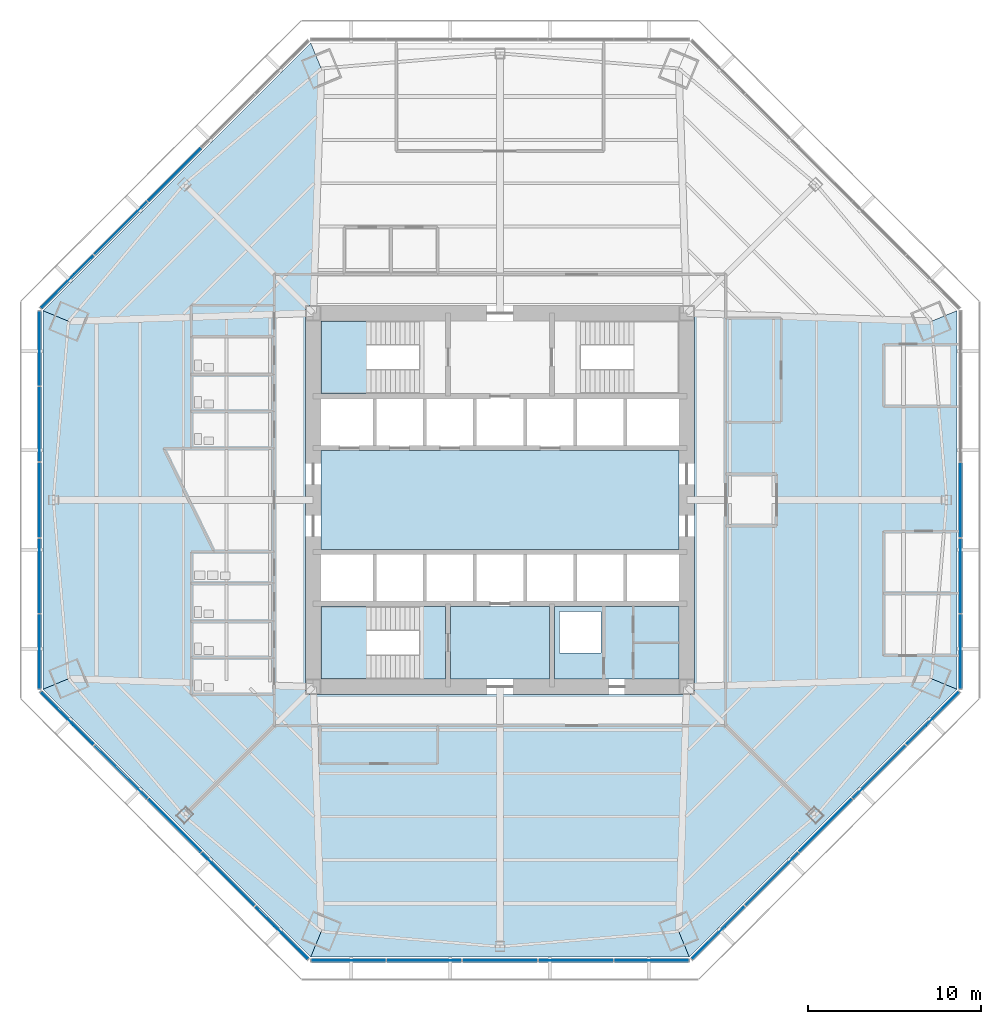
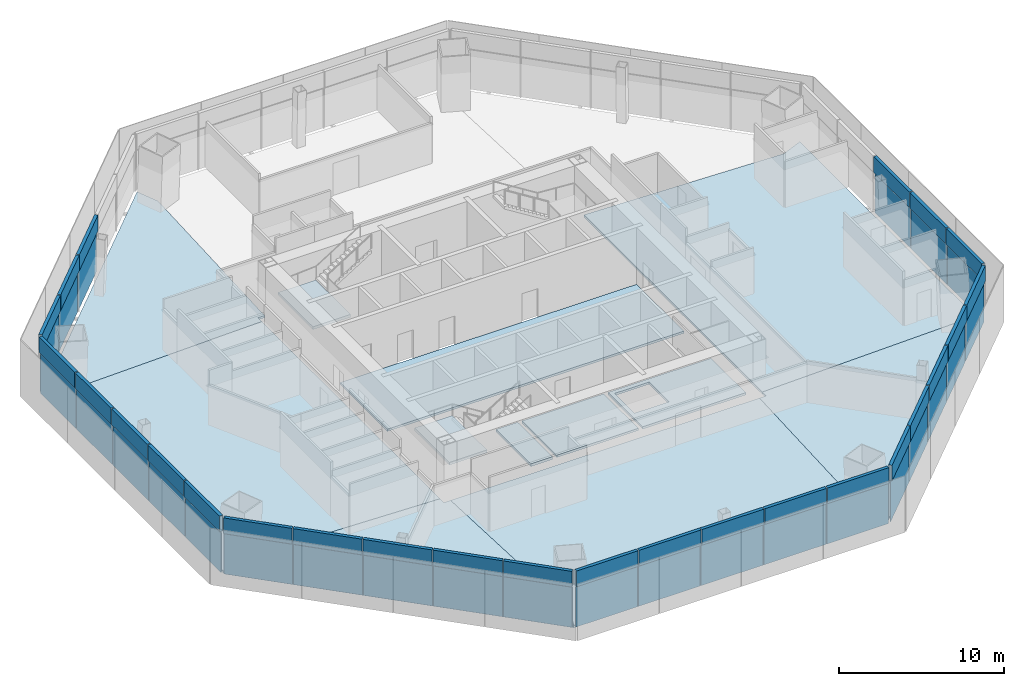
# One storey, part 6 of 13: 52 plates, 12 slabs, 8 elements without a shape of their own.
"""IFC4 building model written with IfcOpenShell, lengths in metres."""

import ifcopenshell
import ifcopenshell.guid

model = None  # the IFC model being written
_history = None  # IfcOwnerHistory: only IFC2X3 demands one
_inside = {}  # id of a spatial element -> (the spatial element, [elements in it])
_under = {}  # id of a project, library or spatial element -> (it, [spatial elements below it])
_declared = {}  # id of a project -> (the project, [libraries it declares])
_typed = {}  # id of a type object -> (the type object, [elements of that type])
_made_of = {}  # id of a material, layer set ... -> (it, [elements and type objects made of it])


def new_model(schema):
    """Start an empty IFC model of exactly this schema.

    Asked for "IFC4X3", IfcOpenShell would pick the latest addendum, in which some entities
    have other attributes; the version numbers below select the first issue.
    IFC2X3 requires an IfcOwnerHistory on every rooted entity: one is made here for all.
    """
    global model, _history
    if schema == "IFC4X3":
        model = ifcopenshell.file(schema_version=(4, 3, 0, 0))
    else:
        model = ifcopenshell.file(schema=schema)
    _inside.clear()
    _under.clear()
    _declared.clear()
    _typed.clear()
    _made_of.clear()
    _history = None
    if model.schema == "IFC2X3":
        org = make("IfcOrganization", Name="unknown")
        user = make(
            "IfcPersonAndOrganization",
            ThePerson=make("IfcPerson", FamilyName="unknown"),
            TheOrganization=org,
        )
        app = make(
            "IfcApplication",
            ApplicationDeveloper=org,
            Version="unknown",
            ApplicationFullName="unknown",
            ApplicationIdentifier="unknown",
        )
        _history = make(
            "IfcOwnerHistory",
            OwningUser=user,
            OwningApplication=app,
            ChangeAction="ADDED",
            CreationDate=0,
        )
    return model


def make(cls, **values):
    """One entity of the class cls with the attributes given. An attribute that is None is left unset."""
    return model.create_entity(
        cls, **{name: value for name, value in values.items() if value is not None}
    )


def rooted(cls, **values):
    """An entity with a GlobalId (a new one), such as an element, a storey or a relation."""
    return make(cls, GlobalId=ifcopenshell.guid.new(), OwnerHistory=_history, **values)


def si_unit(unit_type, name, prefix=None):
    """IfcSIUnit, for example si_unit("LENGTHUNIT", "METRE", prefix="MILLI")."""
    return make("IfcSIUnit", UnitType=unit_type, Prefix=prefix, Name=name)


def assignment(units):
    """IfcUnitAssignment: the units of a project."""
    return None if units is None else make("IfcUnitAssignment", Units=units)


def point(xyz):
    """IfcCartesianPoint."""
    return None if xyz is None else make("IfcCartesianPoint", Coordinates=xyz)


def direction(xyz):
    """IfcDirection."""
    return None if xyz is None else make("IfcDirection", DirectionRatios=xyz)


def frame(location, z_axis=None, x_axis=None):
    """IfcAxis2Placement3D, a coordinate frame: its origin and axes. An axis left out is left unset."""
    return make(
        "IfcAxis2Placement3D",
        Location=point(location),
        Axis=direction(z_axis),
        RefDirection=direction(x_axis),
    )


def frame_2d(location, x_axis=None):
    """IfcAxis2Placement2D, a coordinate frame in the plane: its origin and x axis."""
    return make(
        "IfcAxis2Placement2D", Location=point(location), RefDirection=direction(x_axis)
    )


def origin():
    """The frame at (0, 0, 0) with its axes left unset."""
    return frame((0.0, 0.0, 0.0))


def origin_2d():
    """The frame at (0, 0) in the plane with its x axis left unset."""
    return frame_2d((0.0, 0.0))


def place(relative_to, where):
    """IfcLocalPlacement: puts the frame where relative to a parent placement (None: the world)."""
    return make(
        "IfcLocalPlacement", PlacementRelTo=relative_to, RelativePlacement=where
    )


def context(
    kind, dimensions, precision=None, world=None, true_north=None, identifier=None
):
    """IfcGeometricRepresentationContext, for example the 3D "Model" context."""
    return make(
        "IfcGeometricRepresentationContext",
        ContextIdentifier=identifier,
        ContextType=kind,
        CoordinateSpaceDimension=dimensions,
        Precision=precision,
        WorldCoordinateSystem=world,
        TrueNorth=true_north,
    )


def subcontext(parent, identifier, kind, view, scale=None):
    """IfcGeometricRepresentationSubContext, for example "Body" below "Model"."""
    return make(
        "IfcGeometricRepresentationSubContext",
        ContextIdentifier=identifier,
        ContextType=kind,
        ParentContext=parent,
        TargetScale=scale,
        TargetView=view,
    )


def project(units=None, contexts=None):
    """IfcProject with its units and contexts."""
    return rooted(
        "IfcProject",
        Name="project",
        RepresentationContexts=contexts,
        UnitsInContext=assignment(units),
    )


def spatial(cls, under=None, at=None, **own):
    """A site, building, storey or space (cls), placed at a placement, below another one or the project."""
    s = rooted(cls, ObjectPlacement=at, **own)
    if under is not None:
        _under.setdefault(under.id(), (under, []))[1].append(s)
    return s


def polyline(points):
    """IfcPolyline through the points."""
    return make("IfcPolyline", Points=[point(p) for p in points])


def profile(cls, at=None, kind="AREA", **sizes):
    """A parametric profile (cls). Its sizes go by their IFC names, for example OverallWidth=200.0."""
    return make(cls, ProfileType=kind, Position=at, **sizes)


def rectangle(**sizes):
    """IfcRectangleProfileDef."""
    return profile("IfcRectangleProfileDef", **sizes)


def outline(outer, holes=None, kind="AREA"):
    """IfcArbitraryClosedProfileDef: a profile drawn as a closed curve; with holes, ...WithVoids."""
    if holes is None:
        return make("IfcArbitraryClosedProfileDef", ProfileType=kind, OuterCurve=outer)
    return make(
        "IfcArbitraryProfileDefWithVoids",
        ProfileType=kind,
        OuterCurve=outer,
        InnerCurves=holes,
    )


def extrude(swept, where, along, depth):
    """IfcExtrudedAreaSolid: the profile swept, set in the frame where, extruded along a direction by depth."""
    return make(
        "IfcExtrudedAreaSolid",
        SweptArea=swept,
        Position=where,
        ExtrudedDirection=direction(along),
        Depth=depth,
    )


def shape(context_of_items, identifier, shape_type, items):
    """IfcShapeRepresentation: the items that make up one representation, for example the "Body"."""
    return make(
        "IfcShapeRepresentation",
        ContextOfItems=context_of_items,
        RepresentationIdentifier=identifier,
        RepresentationType=shape_type,
        Items=items,
    )


def source(mapping_origin, context_of_items, identifier, shape_type, items):
    """IfcRepresentationMap: a shape defined once, which mapped items show again and again."""
    return make(
        "IfcRepresentationMap",
        MappingOrigin=mapping_origin,
        MappedRepresentation=shape(context_of_items, identifier, shape_type, items),
    )


def transform(
    local_origin,
    x_axis=None,
    y_axis=None,
    z_axis=None,
    scale=None,
    scale2=None,
    scale3=None,
    uniform=True,
):
    """IfcCartesianTransformationOperator3D, or its non-uniform kind. x_axis, y_axis, z_axis: its Axis1, 2, 3."""
    if uniform:
        return make(
            "IfcCartesianTransformationOperator3D",
            Axis1=direction(x_axis),
            Axis2=direction(y_axis),
            LocalOrigin=point(local_origin),
            Scale=scale,
            Axis3=direction(z_axis),
        )
    return make(
        "IfcCartesianTransformationOperator3DnonUniform",
        Axis1=direction(x_axis),
        Axis2=direction(y_axis),
        LocalOrigin=point(local_origin),
        Scale=scale,
        Axis3=direction(z_axis),
        Scale2=scale2,
        Scale3=scale3,
    )


def mapped(mapping_source, mapping_target):
    """IfcMappedItem: shows the shape of a source again, moved by a transform."""
    return make(
        "IfcMappedItem", MappingSource=mapping_source, MappingTarget=mapping_target
    )


def material(Name=None, Category=None):
    """IfcMaterial."""
    return make("IfcMaterial", Name=Name, Category=Category)


def layer(
    of_material, thickness, ventilated=None, Name=None, Category=None, Priority=None
):
    """IfcMaterialLayer: one layer of a wall or slab, of a material (None: an air gap)."""
    return make(
        "IfcMaterialLayer",
        Material=of_material,
        LayerThickness=thickness,
        IsVentilated=ventilated,
        Name=Name,
        Category=Category,
        Priority=Priority,
    )


def layer_set(layers, Name=None):
    """IfcMaterialLayerSet."""
    return make("IfcMaterialLayerSet", MaterialLayers=layers, LayerSetName=Name)


def made_of(thing, what):
    """Note that an element or type object is made of a material, layer set ...; save() writes the relation."""
    if what is not None:
        _made_of.setdefault(what.id(), (what, []))[1].append(thing)
    return thing


def type_object(cls, material=None, **own):
    """A type object (cls), such as IfcWallType, which elements share."""
    return made_of(rooted(cls, **own), material)


def type_shapes(of_type, sources):
    """Give a type object the sources (RepresentationMaps) that its elements show as mapped items."""
    of_type.RepresentationMaps = sources


def element(
    cls,
    number,
    at=None,
    inside=None,
    cuts=None,
    type_object=None,
    material=None,
    context=None,
    identifier="Body",
    shape_type=None,
    held_by="IfcProductDefinitionShape",
    body=None,
    shapes=None,
    **own,
):
    """One element of the class cls, such as IfcWall. Its Tag is "e" and its number.

    at: its placement. inside: the storey or other place that contains it. cuts: it is an
    opening in that element (IfcRelVoidsElement). A single representation is given by context,
    identifier, shape_type and body (its items); several are given by shapes. held_by: the class
    of the entity that holds the representations. save() writes the other relations.
    """
    e = rooted(cls, Tag="e%d" % number, ObjectPlacement=at, **own)
    if body is not None:
        shapes = [shape(context, identifier, shape_type, body)]
    if shapes is not None:
        e.Representation = make(held_by, Representations=shapes)
    if inside is not None:
        _inside.setdefault(inside.id(), (inside, []))[1].append(e)
    if cuts is not None:
        rooted(
            "IfcRelVoidsElement", RelatingBuildingElement=cuts, RelatedOpeningElement=e
        )
    if type_object is not None:
        _typed.setdefault(type_object.id(), (type_object, []))[1].append(e)
    return made_of(e, material)


def aggregate(whole, parts):
    """IfcRelAggregates: a whole, such as a stair, and the parts it consists of."""
    return rooted("IfcRelAggregates", RelatingObject=whole, RelatedObjects=parts)


def save(model, path):
    """Write the relations noted so far, then the file.

    IfcRelAggregates (storeys below a building ...), IfcRelContainedInSpatialStructure (elements
    in a storey), IfcRelDefinesByType, IfcRelAssociatesMaterial and IfcRelDeclares: one each for
    every whole, place, type object, material and project.
    """
    for whole, parts in _under.values():
        aggregate(whole, parts)
    for where, things in _inside.values():
        rooted(
            "IfcRelContainedInSpatialStructure",
            RelatedElements=things,
            RelatingStructure=where,
        )
    for kind, things in _typed.values():
        rooted("IfcRelDefinesByType", RelatedObjects=things, RelatingType=kind)
    for what, things in _made_of.values():
        rooted("IfcRelAssociatesMaterial", RelatedObjects=things, RelatingMaterial=what)
    for by, libraries in _declared.values():
        rooted("IfcRelDeclares", RelatingContext=by, RelatedDefinitions=libraries)
    model.write(path)


model = new_model("IFC4")

# Units and contexts
model_context = context("Model", 3, precision=1e-05, world=origin(), true_north=direction((0.0, 1.0)))
body_context = subcontext(model_context, "Body", "Model", "MODEL_VIEW")
ifc_project = project(units=[si_unit("LENGTHUNIT", "METRE"), si_unit("AREAUNIT", "SQUARE_METRE"), si_unit("VOLUMEUNIT", "CUBIC_METRE"), si_unit("PLANEANGLEUNIT", "RADIAN"), si_unit("MASSUNIT", "GRAM", prefix="KILO")], contexts=[model_context])

# Site, building, storey
site_placement = place(None, origin())
site = spatial("IfcSite", under=ifc_project, at=site_placement, CompositionType="ELEMENT")
building_placement = place(site_placement, origin())
building = spatial("IfcBuilding", under=site, at=building_placement, Name="Mashrafa Tower", CompositionType="ELEMENT")
storey_placement = place(building_placement, frame((0.0, 0.0, 49.800048828125)))
storey = spatial("IfcBuildingStorey", under=building, at=storey_placement, Name="L10", CompositionType="ELEMENT", Elevation=49.800048828125)

# Slabs
ifc_material_1 = material(Name="Concrete C35/45", Category="concrete")
ifc_layer_1 = layer(ifc_material_1, 0.1650390625)
ifc_layer_set_1 = layer_set([ifc_layer_1], Name="Floor slab 165")
slab_type_1 = type_object("IfcSlabType", Name="Floor slab 165", PredefinedType="FLOOR", material=ifc_layer_set_1)
slab_1_placement = place(storey_placement, frame((0.0, 0.0, -0.1650390625)))
element("IfcSlab", 1, at=slab_1_placement, inside=storey, type_object=slab_type_1, Name="Floor slab L10 east bay", PredefinedType="FLOOR", context=body_context, shape_type="SweptSolid", body=[
    extrude(outline(polyline([(26.406005859375, -10.937744140625), (24.932373046875, -10.327392578125), (11.25, -10.784912109375), (11.25, 10.784912109375), (24.932373046875, 10.327392578125), (26.406005859375, 10.937744140625), (26.406005859375, -10.937744140625)])), origin(), (0.0, 0.0, 1.0), 0.1650390625),
])
slab_2_placement = place(storey_placement, frame((0.0, 0.0, -0.1650390625)))
element("IfcSlab", 2, at=slab_2_placement, inside=storey, type_object=slab_type_1, Name="Floor slab L10 north-west bay", PredefinedType="FLOOR", context=body_context, shape_type="SweptSolid", body=[
    extrude(outline(polyline([(-26.406005859375, 10.937744140625), (-10.937744140625, 26.406005859375), (-10.937744140625, 26.406005859375), (-10.327392578125, 24.932373046875), (-10.784912109375, 11.25), (-11.25, 11.25), (-11.25, 10.784912109375), (-24.932373046875, 10.327392578125), (-26.406005859375, 10.937744140625), (-26.406005859375, 10.937744140625)])), origin(), (0.0, 0.0, 1.0), 0.1650390625),
])
slab_3_placement = place(storey_placement, frame((0.0, 0.0, -0.1650390625)))
element("IfcSlab", 3, at=slab_3_placement, inside=storey, type_object=slab_type_1, Name="Floor slab L10 west bay", PredefinedType="FLOOR", context=body_context, shape_type="SweptSolid", body=[
    extrude(outline(polyline([(-26.406005859375, 10.937744140625), (-24.932373046875, 10.327392578125), (-11.25, 10.784912109375), (-11.25, -10.784912109375), (-24.932373046875, -10.327392578125), (-26.406005859375, -10.937744140625), (-26.406005859375, 10.937744140625)])), origin(), (0.0, 0.0, 1.0), 0.1650390625),
])
slab_4_placement = place(storey_placement, frame((0.0, 0.0, -0.1650390625)))
element("IfcSlab", 4, at=slab_4_placement, inside=storey, type_object=slab_type_1, Name="Floor slab L10 south-west bay", PredefinedType="FLOOR", context=body_context, shape_type="SweptSolid", body=[
    extrude(outline(polyline([(-10.937744140625, -26.406005859375), (-26.406005859375, -10.937744140625), (-26.406005859375, -10.937744140625), (-24.932373046875, -10.327392578125), (-11.25, -10.784912109375), (-11.25, -11.25), (-10.784912109375, -11.25), (-10.327392578125, -24.932373046875), (-10.937744140625, -26.406005859375), (-10.937744140625, -26.406005859375)])), origin(), (0.0, 0.0, 1.0), 0.1650390625),
])
slab_5_placement = place(storey_placement, frame((0.0, 0.0, -0.1650390625)))
element("IfcSlab", 5, at=slab_5_placement, inside=storey, type_object=slab_type_1, Name="Floor slab L10 south bay", PredefinedType="FLOOR", context=body_context, shape_type="SweptSolid", body=[
    extrude(outline(polyline([(-10.937744140625, -26.406005859375), (-10.327392578125, -24.932373046875), (-10.784912109375, -11.25), (10.784912109375, -11.25), (10.327392578125, -24.932373046875), (10.937744140625, -26.406005859375), (-10.937744140625, -26.406005859375)])), origin(), (0.0, 0.0, 1.0), 0.1650390625),
])
slab_6_placement = place(storey_placement, frame((0.0, 0.0, -0.1650390625)))
element("IfcSlab", 6, at=slab_6_placement, inside=storey, type_object=slab_type_1, Name="Floor slab L10 south-east bay", PredefinedType="FLOOR", context=body_context, shape_type="SweptSolid", body=[
    extrude(outline(polyline([(10.937744140625, -26.406005859375), (10.327392578125, -24.932373046875), (10.784912109375, -11.25), (11.25, -11.25), (11.25, -10.784912109375), (24.932373046875, -10.327392578125), (26.406005859375, -10.937744140625), (26.406005859375, -10.937744140625), (10.937744140625, -26.406005859375), (10.937744140625, -26.406005859375)])), origin(), (0.0, 0.0, 1.0), 0.1650390625),
])
slab_7_placement = place(storey_placement, frame((0.0, 0.0, -0.1650390625)))
element("IfcSlab", 7, at=slab_7_placement, inside=storey, type_object=slab_type_1, Name="Core floor lift hall L10", PredefinedType="FLOOR", context=body_context, shape_type="SweptSolid", body=[
    extrude(outline(polyline([(-10.35009765625, 2.85009765625), (10.35009765625, 2.85009765625), (10.35009765625, -2.85009765625), (-10.35009765625, -2.85009765625), (-10.35009765625, 2.85009765625)])), origin(), (0.0, 0.0, 1.0), 0.1650390625),
])
slab_8_placement = place(storey_placement, frame((0.0, 0.0, -0.1650390625)))
element("IfcSlab", 8, at=slab_8_placement, inside=storey, type_object=slab_type_1, Name="Core floor riser and electrical band L10", PredefinedType="FLOOR", context=body_context, shape_type="SweptSolid", body=[
    extrude(outline(polyline([(10.35009765625, -6.14990234375), (10.35009765625, -10.35009765625), (3.14990234375, -10.35009765625), (3.14990234375, -6.14990234375), (10.35009765625, -6.14990234375)]), holes=[polyline([(3.449951171875, -8.85009765625), (5.85009765625, -8.85009765625), (5.85009765625, -6.449951171875), (3.449951171875, -6.449951171875), (3.449951171875, -8.85009765625)])]), origin(), (0.0, 0.0, 1.0), 0.1650390625),
])
slab_9_placement = place(storey_placement, frame((0.0, 0.0, -0.1650390625)))
element("IfcSlab", 9, at=slab_9_placement, inside=storey, type_object=slab_type_1, Name="Core floor fire-fighting lobby south L10", PredefinedType="FLOOR", context=body_context, shape_type="SweptSolid", body=[
    extrude(outline(polyline([(2.85009765625, -6.14990234375), (2.85009765625, -10.35009765625), (-2.85009765625, -10.35009765625), (-2.85009765625, -6.14990234375), (2.85009765625, -6.14990234375)])), origin(), (0.0, 0.0, 1.0), 0.1650390625),
])

# Stair, slab
ifc_material_2 = material(Name="Exit stair 1400")
stair_type = type_object("IfcStairType", Name="Exit stair 1400", PredefinedType="HALF_TURN_STAIR", material=ifc_material_2)
stair_1_placement = place(storey_placement, origin())
stair_1 = element("IfcStair", 10, at=stair_1_placement, inside=storey, type_object=stair_type, Name="Stair S1 L10", PredefinedType="HALF_TURN_STAIR")
ifc_material_3 = material(Name="Concrete C32/40", Category="concrete")
ifc_layer_2 = layer(ifc_material_3, 0.199951171875)
ifc_layer_set_2 = layer_set([ifc_layer_2], Name="Stair landing 200")
slab_type_2 = type_object("IfcSlabType", Name="Stair landing 200", PredefinedType="LANDING", material=ifc_layer_set_2)
slab_10_placement = place(storey_placement, frame((0.0, 0.0, 1.89990234375)))
slab_10 = element("IfcSlab", 11, at=slab_10_placement, type_object=slab_type_2, Name="S1 landing 2", PredefinedType="LANDING", context=body_context, shape_type="SweptSolid", body=[
    extrude(outline(polyline([(-10.35009765625, 6.14990234375), (-7.719970703125, 6.14990234375), (-7.719970703125, 10.35009765625), (-10.35009765625, 10.35009765625), (-10.35009765625, 6.14990234375)])), origin(), (0.0, 0.0, 1.0), 0.199951171875),
])
aggregate(stair_1, [slab_10])

# Stair, slabs
stair_2_placement = place(storey_placement, origin())
stair_2 = element("IfcStair", 12, at=stair_2_placement, inside=storey, type_object=stair_type, Name="Stair S3 L10", PredefinedType="HALF_TURN_STAIR")
slab_11_placement = place(storey_placement, frame((0.0, 0.0, -0.199951171875)))
slab_11 = element("IfcSlab", 13, at=slab_11_placement, type_object=slab_type_2, Name="S3 landing 1", PredefinedType="LANDING", context=body_context, shape_type="SweptSolid", body=[
    extrude(outline(polyline([(-4.659912109375, -10.35009765625), (-3.14990234375, -10.35009765625), (-3.14990234375, -6.14990234375), (-4.659912109375, -6.14990234375), (-4.659912109375, -10.35009765625)])), origin(), (0.0, 0.0, 1.0), 0.199951171875),
])
slab_12_placement = place(storey_placement, frame((0.0, 0.0, 1.89990234375)))
slab_12 = element("IfcSlab", 14, at=slab_12_placement, type_object=slab_type_2, Name="S3 landing 2", PredefinedType="LANDING", context=body_context, shape_type="SweptSolid", body=[
    extrude(outline(polyline([(-10.35009765625, -10.35009765625), (-7.719970703125, -10.35009765625), (-7.719970703125, -6.14990234375), (-10.35009765625, -6.14990234375), (-10.35009765625, -10.35009765625)])), origin(), (0.0, 0.0, 1.0), 0.199951171875),
])
aggregate(stair_2, [slab_11, slab_12])

# Curtain wall, plate
ifc_material_4 = material(Name="Unitised aluminium curtain wall", Category="aluminium")
curtain_wall_type = type_object("IfcCurtainWallType", Name="Office curtain wall, zone 1 CW-A 200 deep", PredefinedType="NOTDEFINED", material=ifc_material_4)
curtain_wall_1_placement = place(storey_placement, origin())
curtain_wall_1 = element("IfcCurtainWall", 15, at=curtain_wall_1_placement, inside=storey, type_object=curtain_wall_type, Name="Office curtain wall, zone 1 L10 east", PredefinedType="NOTDEFINED")
ifc_material_5 = material(Name="Insulated double glazing, low-e, neutral", Category="glass")
ifc_layer_3 = layer(ifc_material_5, 0.028076171875)
ifc_layer_set_3 = layer_set([ifc_layer_3], Name="Vision panel CW-A 28")
plate_type_1 = type_object("IfcPlateType", Name="Vision panel CW-A 28", PredefinedType="CURTAIN_PANEL", material=ifc_layer_set_3)
shared_shape_1 = source(origin(), body_context, "Body", "SweptSolid", [
    extrude(rectangle(XDim=4.2900390625, YDim=0.028076171875, at=origin_2d()), origin(), (0.0, 0.0, 1.0), 2.9599609375),
])
plate_1_placement = place(storey_placement, frame((26.60595703125, -8.759033203125, 0.0), z_axis=(0.0, 0.0, 1.0), x_axis=(0.0, 1.0, 0.0)))
plate_1 = element("IfcPlate", 16, at=plate_1_placement, type_object=plate_type_1, Name="CW-A vision panel 1", PredefinedType="CURTAIN_PANEL", context=body_context, shape_type="MappedRepresentation", body=[
    mapped(shared_shape_1, transform((0.0, 0.0, 0.0))),
])

curtain_wall_2_placement = place(storey_placement, origin())
curtain_wall_2 = element("IfcCurtainWall", 17, at=curtain_wall_2_placement, inside=storey, type_object=curtain_wall_type, Name="Office curtain wall, zone 1 L10 north-west", PredefinedType="NOTDEFINED")
plate_2_placement = place(storey_placement, frame((-25.0068359375, 12.61962890625, 0.0), z_axis=(0.0, 0.0, 1.0), x_axis=(-0.707106781187, -0.707106781187, 0.0)))
plate_2 = element("IfcPlate", 18, at=plate_2_placement, type_object=plate_type_1, Name="CW-A vision panel 5", PredefinedType="CURTAIN_PANEL", context=body_context, shape_type="MappedRepresentation", body=[
    mapped(shared_shape_1, transform((0.0, 0.0, 0.0))),
])

# Curtain wall, plates
curtain_wall_3_placement = place(storey_placement, origin())
curtain_wall_3 = element("IfcCurtainWall", 19, at=curtain_wall_3_placement, inside=storey, type_object=curtain_wall_type, Name="Office curtain wall, zone 1 L10 west", PredefinedType="NOTDEFINED")
plate_3_placement = place(storey_placement, frame((-26.60595703125, 8.759033203125, 0.0), z_axis=(0.0, 0.0, 1.0), x_axis=(0.0, -1.0, 0.0)))
plate_3 = element("IfcPlate", 20, at=plate_3_placement, type_object=plate_type_1, Name="CW-A vision panel 1", PredefinedType="CURTAIN_PANEL", context=body_context, shape_type="MappedRepresentation", body=[
    mapped(shared_shape_1, transform((0.0, 0.0, 0.0))),
])
plate_4_placement = place(storey_placement, frame((-26.60595703125, -8.759033203125, 0.0), z_axis=(0.0, 0.0, 1.0), x_axis=(0.0, -1.0, 0.0)))
plate_4 = element("IfcPlate", 21, at=plate_4_placement, type_object=plate_type_1, Name="CW-A vision panel 5", PredefinedType="CURTAIN_PANEL", context=body_context, shape_type="MappedRepresentation", body=[
    mapped(shared_shape_1, transform((0.0, 0.0, 0.0))),
])

curtain_wall_4_placement = place(storey_placement, origin())
curtain_wall_4 = element("IfcCurtainWall", 22, at=curtain_wall_4_placement, inside=storey, type_object=curtain_wall_type, Name="Office curtain wall, zone 1 L10 south-west", PredefinedType="NOTDEFINED")
plate_5_placement = place(storey_placement, frame((-25.0068359375, -12.61962890625, 0.0), z_axis=(0.0, 0.0, 1.0), x_axis=(0.707106781187, -0.707106781187, 0.0)))
plate_5 = element("IfcPlate", 23, at=plate_5_placement, type_object=plate_type_1, Name="CW-A vision panel 1", PredefinedType="CURTAIN_PANEL", context=body_context, shape_type="MappedRepresentation", body=[
    mapped(shared_shape_1, transform((0.0, 0.0, 0.0))),
])
plate_6_placement = place(storey_placement, frame((-12.61962890625, -25.0068359375, 0.0), z_axis=(0.0, 0.0, 1.0), x_axis=(0.707106781187, -0.707106781187, 0.0)))
plate_6 = element("IfcPlate", 24, at=plate_6_placement, type_object=plate_type_1, Name="CW-A vision panel 5", PredefinedType="CURTAIN_PANEL", context=body_context, shape_type="MappedRepresentation", body=[
    mapped(shared_shape_1, transform((0.0, 0.0, 0.0))),
])

curtain_wall_5_placement = place(storey_placement, origin())
curtain_wall_5 = element("IfcCurtainWall", 25, at=curtain_wall_5_placement, inside=storey, type_object=curtain_wall_type, Name="Office curtain wall, zone 1 L10 south", PredefinedType="NOTDEFINED")
plate_7_placement = place(storey_placement, frame((-8.759033203125, -26.60595703125, 0.0), z_axis=(0.0, 0.0, 1.0), x_axis=(1.0, 0.0, 0.0)))
plate_7 = element("IfcPlate", 26, at=plate_7_placement, type_object=plate_type_1, Name="CW-A vision panel 1", PredefinedType="CURTAIN_PANEL", context=body_context, shape_type="MappedRepresentation", body=[
    mapped(shared_shape_1, transform((0.0, 0.0, 0.0))),
])
plate_8_placement = place(storey_placement, frame((8.759033203125, -26.60595703125, 0.0), z_axis=(0.0, 0.0, 1.0), x_axis=(1.0, 0.0, 0.0)))
plate_8 = element("IfcPlate", 27, at=plate_8_placement, type_object=plate_type_1, Name="CW-A vision panel 5", PredefinedType="CURTAIN_PANEL", context=body_context, shape_type="MappedRepresentation", body=[
    mapped(shared_shape_1, transform((0.0, 0.0, 0.0))),
])

curtain_wall_6_placement = place(storey_placement, origin())
curtain_wall_6 = element("IfcCurtainWall", 28, at=curtain_wall_6_placement, inside=storey, type_object=curtain_wall_type, Name="Office curtain wall, zone 1 L10 south-east", PredefinedType="NOTDEFINED")
plate_9_placement = place(storey_placement, frame((12.61962890625, -25.0068359375, 0.0), z_axis=(0.0, 0.0, 1.0), x_axis=(0.707106781187, 0.707106781187, 0.0)))
plate_9 = element("IfcPlate", 29, at=plate_9_placement, type_object=plate_type_1, Name="CW-A vision panel 1", PredefinedType="CURTAIN_PANEL", context=body_context, shape_type="MappedRepresentation", body=[
    mapped(shared_shape_1, transform((0.0, 0.0, 0.0))),
])
plate_10_placement = place(storey_placement, frame((25.0068359375, -12.61962890625, 0.0), z_axis=(0.0, 0.0, 1.0), x_axis=(0.707106781187, 0.707106781187, 0.0)))
plate_10 = element("IfcPlate", 30, at=plate_10_placement, type_object=plate_type_1, Name="CW-A vision panel 5", PredefinedType="CURTAIN_PANEL", context=body_context, shape_type="MappedRepresentation", body=[
    mapped(shared_shape_1, transform((0.0, 0.0, 0.0))),
])

# Plate
ifc_material_6 = material(Name="Insulated aluminium spandrel panel", Category="aluminium")
ifc_layer_4 = layer(ifc_material_6, 0.219970703125)
ifc_layer_set_4 = layer_set([ifc_layer_4], Name="Spandrel panel CW-A 220")
plate_type_2 = type_object("IfcPlateType", Name="Spandrel panel CW-A 220", PredefinedType="CURTAIN_PANEL", material=ifc_layer_set_4)
shared_shape_2 = source(origin(), body_context, "Body", "SweptSolid", [
    extrude(rectangle(XDim=4.2900390625, YDim=0.219970703125, at=origin_2d()), origin(), (0.0, 0.0, 1.0), 1.159912109375),
])
plate_11_placement = place(storey_placement, frame((26.60595703125, -8.759033203125, 3.0400390625), z_axis=(0.0, 0.0, 1.0), x_axis=(0.0, 1.0, 0.0)))
plate_11 = element("IfcPlate", 31, at=plate_11_placement, type_object=plate_type_2, Name="CW-A spandrel panel 1", PredefinedType="CURTAIN_PANEL", context=body_context, shape_type="MappedRepresentation", body=[
    mapped(shared_shape_2, transform((0.0, 0.0, 0.0))),
])

plate_12_placement = place(storey_placement, frame((-25.0068359375, 12.61962890625, 3.0400390625), z_axis=(0.0, 0.0, 1.0), x_axis=(-0.707106781187, -0.707106781187, 0.0)))
plate_12 = element("IfcPlate", 32, at=plate_12_placement, type_object=plate_type_2, Name="CW-A spandrel panel 5", PredefinedType="CURTAIN_PANEL", context=body_context, shape_type="MappedRepresentation", body=[
    mapped(shared_shape_2, transform((0.0, 0.0, 0.0))),
])

plate_13_placement = place(storey_placement, frame((-26.60595703125, 8.759033203125, 3.0400390625), z_axis=(0.0, 0.0, 1.0), x_axis=(0.0, -1.0, 0.0)))
plate_13 = element("IfcPlate", 33, at=plate_13_placement, type_object=plate_type_2, Name="CW-A spandrel panel 1", PredefinedType="CURTAIN_PANEL", context=body_context, shape_type="MappedRepresentation", body=[
    mapped(shared_shape_2, transform((0.0, 0.0, 0.0))),
])

plate_14_placement = place(storey_placement, frame((-26.60595703125, -8.759033203125, 3.0400390625), z_axis=(0.0, 0.0, 1.0), x_axis=(0.0, -1.0, 0.0)))
plate_14 = element("IfcPlate", 34, at=plate_14_placement, type_object=plate_type_2, Name="CW-A spandrel panel 5", PredefinedType="CURTAIN_PANEL", context=body_context, shape_type="MappedRepresentation", body=[
    mapped(shared_shape_2, transform((0.0, 0.0, 0.0))),
])

plate_15_placement = place(storey_placement, frame((-25.0068359375, -12.61962890625, 3.0400390625), z_axis=(0.0, 0.0, 1.0), x_axis=(0.707106781187, -0.707106781187, 0.0)))
plate_15 = element("IfcPlate", 35, at=plate_15_placement, type_object=plate_type_2, Name="CW-A spandrel panel 1", PredefinedType="CURTAIN_PANEL", context=body_context, shape_type="MappedRepresentation", body=[
    mapped(shared_shape_2, transform((0.0, 0.0, 0.0))),
])

plate_16_placement = place(storey_placement, frame((-12.61962890625, -25.0068359375, 3.0400390625), z_axis=(0.0, 0.0, 1.0), x_axis=(0.707106781187, -0.707106781187, 0.0)))
plate_16 = element("IfcPlate", 36, at=plate_16_placement, type_object=plate_type_2, Name="CW-A spandrel panel 5", PredefinedType="CURTAIN_PANEL", context=body_context, shape_type="MappedRepresentation", body=[
    mapped(shared_shape_2, transform((0.0, 0.0, 0.0))),
])

plate_17_placement = place(storey_placement, frame((-8.759033203125, -26.60595703125, 3.0400390625), z_axis=(0.0, 0.0, 1.0), x_axis=(1.0, 0.0, 0.0)))
plate_17 = element("IfcPlate", 37, at=plate_17_placement, type_object=plate_type_2, Name="CW-A spandrel panel 1", PredefinedType="CURTAIN_PANEL", context=body_context, shape_type="MappedRepresentation", body=[
    mapped(shared_shape_2, transform((0.0, 0.0, 0.0))),
])

plate_18_placement = place(storey_placement, frame((8.759033203125, -26.60595703125, 3.0400390625), z_axis=(0.0, 0.0, 1.0), x_axis=(1.0, 0.0, 0.0)))
plate_18 = element("IfcPlate", 38, at=plate_18_placement, type_object=plate_type_2, Name="CW-A spandrel panel 5", PredefinedType="CURTAIN_PANEL", context=body_context, shape_type="MappedRepresentation", body=[
    mapped(shared_shape_2, transform((0.0, 0.0, 0.0))),
])

plate_19_placement = place(storey_placement, frame((12.61962890625, -25.0068359375, 3.0400390625), z_axis=(0.0, 0.0, 1.0), x_axis=(0.707106781187, 0.707106781187, 0.0)))
plate_19 = element("IfcPlate", 39, at=plate_19_placement, type_object=plate_type_2, Name="CW-A spandrel panel 1", PredefinedType="CURTAIN_PANEL", context=body_context, shape_type="MappedRepresentation", body=[
    mapped(shared_shape_2, transform((0.0, 0.0, 0.0))),
])

plate_20_placement = place(storey_placement, frame((25.0068359375, -12.61962890625, 3.0400390625), z_axis=(0.0, 0.0, 1.0), x_axis=(0.707106781187, 0.707106781187, 0.0)))
plate_20 = element("IfcPlate", 40, at=plate_20_placement, type_object=plate_type_2, Name="CW-A spandrel panel 5", PredefinedType="CURTAIN_PANEL", context=body_context, shape_type="MappedRepresentation", body=[
    mapped(shared_shape_2, transform((0.0, 0.0, 0.0))),
])

shared_shape_3 = source(origin(), body_context, "Body", "SweptSolid", [
    extrude(rectangle(XDim=4.32275390625, YDim=0.028076171875, at=origin_2d()), origin(), (0.0, 0.0, 1.0), 2.9599609375),
])
type_shapes(plate_type_1, [shared_shape_1, shared_shape_3])
plate_21_placement = place(storey_placement, frame((26.60595703125, -4.3876953125, 0.0), z_axis=(0.0, 0.0, 1.0), x_axis=(0.0, 1.0, 0.0)))
plate_21 = element("IfcPlate", 41, at=plate_21_placement, type_object=plate_type_1, Name="CW-A vision panel 2", PredefinedType="CURTAIN_PANEL", context=body_context, shape_type="MappedRepresentation", body=[
    mapped(shared_shape_3, transform((0.0, 0.0, 0.0))),
])

plate_22_placement = place(storey_placement, frame((26.60595703125, 0.0, 0.0), z_axis=(0.0, 0.0, 1.0), x_axis=(0.0, 1.0, 0.0)))
plate_22 = element("IfcPlate", 42, at=plate_22_placement, type_object=plate_type_1, Name="CW-A vision panel 3", PredefinedType="CURTAIN_PANEL", context=body_context, shape_type="MappedRepresentation", body=[
    mapped(shared_shape_3, transform((0.0, 0.0, 0.0))),
])

plate_23_placement = place(storey_placement, frame((-18.813232421875, 18.813232421875, 0.0), z_axis=(0.0, 0.0, 1.0), x_axis=(-0.707106781187, -0.707106781187, 0.0)))
plate_23 = element("IfcPlate", 43, at=plate_23_placement, type_object=plate_type_1, Name="CW-A vision panel 3", PredefinedType="CURTAIN_PANEL", context=body_context, shape_type="MappedRepresentation", body=[
    mapped(shared_shape_3, transform((0.0, 0.0, 0.0))),
])

plate_24_placement = place(storey_placement, frame((-21.915771484375, 15.710693359375, 0.0), z_axis=(0.0, 0.0, 1.0), x_axis=(-0.707106781187, -0.707106781187, 0.0)))
plate_24 = element("IfcPlate", 44, at=plate_24_placement, type_object=plate_type_1, Name="CW-A vision panel 4", PredefinedType="CURTAIN_PANEL", context=body_context, shape_type="MappedRepresentation", body=[
    mapped(shared_shape_3, transform((0.0, 0.0, 0.0))),
])

plate_25_placement = place(storey_placement, frame((-26.60595703125, 4.3876953125, 0.0), z_axis=(0.0, 0.0, 1.0), x_axis=(0.0, -1.0, 0.0)))
plate_25 = element("IfcPlate", 45, at=plate_25_placement, type_object=plate_type_1, Name="CW-A vision panel 2", PredefinedType="CURTAIN_PANEL", context=body_context, shape_type="MappedRepresentation", body=[
    mapped(shared_shape_3, transform((0.0, 0.0, 0.0))),
])

plate_26_placement = place(storey_placement, frame((-26.60595703125, 0.0, 0.0), z_axis=(0.0, 0.0, 1.0), x_axis=(0.0, -1.0, 0.0)))
plate_26 = element("IfcPlate", 46, at=plate_26_placement, type_object=plate_type_1, Name="CW-A vision panel 3", PredefinedType="CURTAIN_PANEL", context=body_context, shape_type="MappedRepresentation", body=[
    mapped(shared_shape_3, transform((0.0, 0.0, 0.0))),
])

plate_27_placement = place(storey_placement, frame((-26.60595703125, -4.3876953125, 0.0), z_axis=(0.0, 0.0, 1.0), x_axis=(0.0, -1.0, 0.0)))
plate_27 = element("IfcPlate", 47, at=plate_27_placement, type_object=plate_type_1, Name="CW-A vision panel 4", PredefinedType="CURTAIN_PANEL", context=body_context, shape_type="MappedRepresentation", body=[
    mapped(shared_shape_3, transform((0.0, 0.0, 0.0))),
])

plate_28_placement = place(storey_placement, frame((-21.915771484375, -15.710693359375, 0.0), z_axis=(0.0, 0.0, 1.0), x_axis=(0.707106781187, -0.707106781187, 0.0)))
plate_28 = element("IfcPlate", 48, at=plate_28_placement, type_object=plate_type_1, Name="CW-A vision panel 2", PredefinedType="CURTAIN_PANEL", context=body_context, shape_type="MappedRepresentation", body=[
    mapped(shared_shape_3, transform((0.0, 0.0, 0.0))),
])

plate_29_placement = place(storey_placement, frame((-18.813232421875, -18.813232421875, 0.0), z_axis=(0.0, 0.0, 1.0), x_axis=(0.707106781187, -0.707106781187, 0.0)))
plate_29 = element("IfcPlate", 49, at=plate_29_placement, type_object=plate_type_1, Name="CW-A vision panel 3", PredefinedType="CURTAIN_PANEL", context=body_context, shape_type="MappedRepresentation", body=[
    mapped(shared_shape_3, transform((0.0, 0.0, 0.0))),
])

plate_30_placement = place(storey_placement, frame((-15.710693359375, -21.915771484375, 0.0), z_axis=(0.0, 0.0, 1.0), x_axis=(0.707106781187, -0.707106781187, 0.0)))
plate_30 = element("IfcPlate", 50, at=plate_30_placement, type_object=plate_type_1, Name="CW-A vision panel 4", PredefinedType="CURTAIN_PANEL", context=body_context, shape_type="MappedRepresentation", body=[
    mapped(shared_shape_3, transform((0.0, 0.0, 0.0))),
])

plate_31_placement = place(storey_placement, frame((-4.3876953125, -26.60595703125, 0.0), z_axis=(0.0, 0.0, 1.0), x_axis=(1.0, 0.0, 0.0)))
plate_31 = element("IfcPlate", 51, at=plate_31_placement, type_object=plate_type_1, Name="CW-A vision panel 2", PredefinedType="CURTAIN_PANEL", context=body_context, shape_type="MappedRepresentation", body=[
    mapped(shared_shape_3, transform((0.0, 0.0, 0.0))),
])

plate_32_placement = place(storey_placement, frame((0.0, -26.60595703125, 0.0), z_axis=(0.0, 0.0, 1.0), x_axis=(1.0, 0.0, 0.0)))
plate_32 = element("IfcPlate", 52, at=plate_32_placement, type_object=plate_type_1, Name="CW-A vision panel 3", PredefinedType="CURTAIN_PANEL", context=body_context, shape_type="MappedRepresentation", body=[
    mapped(shared_shape_3, transform((0.0, 0.0, 0.0))),
])

plate_33_placement = place(storey_placement, frame((4.3876953125, -26.60595703125, 0.0), z_axis=(0.0, 0.0, 1.0), x_axis=(1.0, 0.0, 0.0)))
plate_33 = element("IfcPlate", 53, at=plate_33_placement, type_object=plate_type_1, Name="CW-A vision panel 4", PredefinedType="CURTAIN_PANEL", context=body_context, shape_type="MappedRepresentation", body=[
    mapped(shared_shape_3, transform((0.0, 0.0, 0.0))),
])

plate_34_placement = place(storey_placement, frame((15.710693359375, -21.915771484375, 0.0), z_axis=(0.0, 0.0, 1.0), x_axis=(0.707106781187, 0.707106781187, 0.0)))
plate_34 = element("IfcPlate", 54, at=plate_34_placement, type_object=plate_type_1, Name="CW-A vision panel 2", PredefinedType="CURTAIN_PANEL", context=body_context, shape_type="MappedRepresentation", body=[
    mapped(shared_shape_3, transform((0.0, 0.0, 0.0))),
])

plate_35_placement = place(storey_placement, frame((18.813232421875, -18.813232421875, 0.0), z_axis=(0.0, 0.0, 1.0), x_axis=(0.707106781187, 0.707106781187, 0.0)))
plate_35 = element("IfcPlate", 55, at=plate_35_placement, type_object=plate_type_1, Name="CW-A vision panel 3", PredefinedType="CURTAIN_PANEL", context=body_context, shape_type="MappedRepresentation", body=[
    mapped(shared_shape_3, transform((0.0, 0.0, 0.0))),
])

plate_36_placement = place(storey_placement, frame((21.915771484375, -15.710693359375, 0.0), z_axis=(0.0, 0.0, 1.0), x_axis=(0.707106781187, 0.707106781187, 0.0)))
plate_36 = element("IfcPlate", 56, at=plate_36_placement, type_object=plate_type_1, Name="CW-A vision panel 4", PredefinedType="CURTAIN_PANEL", context=body_context, shape_type="MappedRepresentation", body=[
    mapped(shared_shape_3, transform((0.0, 0.0, 0.0))),
])

shared_shape_4 = source(origin(), body_context, "Body", "SweptSolid", [
    extrude(rectangle(XDim=4.32275390625, YDim=0.219970703125, at=origin_2d()), origin(), (0.0, 0.0, 1.0), 1.159912109375),
])
type_shapes(plate_type_2, [shared_shape_2, shared_shape_4])
plate_37_placement = place(storey_placement, frame((26.60595703125, -4.3876953125, 3.0400390625), z_axis=(0.0, 0.0, 1.0), x_axis=(0.0, 1.0, 0.0)))
plate_37 = element("IfcPlate", 57, at=plate_37_placement, type_object=plate_type_2, Name="CW-A spandrel panel 2", PredefinedType="CURTAIN_PANEL", context=body_context, shape_type="MappedRepresentation", body=[
    mapped(shared_shape_4, transform((0.0, 0.0, 0.0))),
])

plate_38_placement = place(storey_placement, frame((26.60595703125, 0.0, 3.0400390625), z_axis=(0.0, 0.0, 1.0), x_axis=(0.0, 1.0, 0.0)))
plate_38 = element("IfcPlate", 58, at=plate_38_placement, type_object=plate_type_2, Name="CW-A spandrel panel 3", PredefinedType="CURTAIN_PANEL", context=body_context, shape_type="MappedRepresentation", body=[
    mapped(shared_shape_4, transform((0.0, 0.0, 0.0))),
])

aggregate(curtain_wall_1, [plate_1, plate_11, plate_21, plate_37, plate_22, plate_38])

plate_39_placement = place(storey_placement, frame((-18.813232421875, 18.813232421875, 3.0400390625), z_axis=(0.0, 0.0, 1.0), x_axis=(-0.707106781187, -0.707106781187, 0.0)))
plate_39 = element("IfcPlate", 59, at=plate_39_placement, type_object=plate_type_2, Name="CW-A spandrel panel 3", PredefinedType="CURTAIN_PANEL", context=body_context, shape_type="MappedRepresentation", body=[
    mapped(shared_shape_4, transform((0.0, 0.0, 0.0))),
])

plate_40_placement = place(storey_placement, frame((-21.915771484375, 15.710693359375, 3.0400390625), z_axis=(0.0, 0.0, 1.0), x_axis=(-0.707106781187, -0.707106781187, 0.0)))
plate_40 = element("IfcPlate", 60, at=plate_40_placement, type_object=plate_type_2, Name="CW-A spandrel panel 4", PredefinedType="CURTAIN_PANEL", context=body_context, shape_type="MappedRepresentation", body=[
    mapped(shared_shape_4, transform((0.0, 0.0, 0.0))),
])

aggregate(curtain_wall_2, [plate_23, plate_39, plate_24, plate_40, plate_2, plate_12])

plate_41_placement = place(storey_placement, frame((-26.60595703125, 4.3876953125, 3.0400390625), z_axis=(0.0, 0.0, 1.0), x_axis=(0.0, -1.0, 0.0)))
plate_41 = element("IfcPlate", 61, at=plate_41_placement, type_object=plate_type_2, Name="CW-A spandrel panel 2", PredefinedType="CURTAIN_PANEL", context=body_context, shape_type="MappedRepresentation", body=[
    mapped(shared_shape_4, transform((0.0, 0.0, 0.0))),
])

plate_42_placement = place(storey_placement, frame((-26.60595703125, 0.0, 3.0400390625), z_axis=(0.0, 0.0, 1.0), x_axis=(0.0, -1.0, 0.0)))
plate_42 = element("IfcPlate", 62, at=plate_42_placement, type_object=plate_type_2, Name="CW-A spandrel panel 3", PredefinedType="CURTAIN_PANEL", context=body_context, shape_type="MappedRepresentation", body=[
    mapped(shared_shape_4, transform((0.0, 0.0, 0.0))),
])

plate_43_placement = place(storey_placement, frame((-26.60595703125, -4.3876953125, 3.0400390625), z_axis=(0.0, 0.0, 1.0), x_axis=(0.0, -1.0, 0.0)))
plate_43 = element("IfcPlate", 63, at=plate_43_placement, type_object=plate_type_2, Name="CW-A spandrel panel 4", PredefinedType="CURTAIN_PANEL", context=body_context, shape_type="MappedRepresentation", body=[
    mapped(shared_shape_4, transform((0.0, 0.0, 0.0))),
])

aggregate(curtain_wall_3, [plate_3, plate_13, plate_25, plate_41, plate_26, plate_42, plate_27, plate_43, plate_4, plate_14])

plate_44_placement = place(storey_placement, frame((-21.915771484375, -15.710693359375, 3.0400390625), z_axis=(0.0, 0.0, 1.0), x_axis=(0.707106781187, -0.707106781187, 0.0)))
plate_44 = element("IfcPlate", 64, at=plate_44_placement, type_object=plate_type_2, Name="CW-A spandrel panel 2", PredefinedType="CURTAIN_PANEL", context=body_context, shape_type="MappedRepresentation", body=[
    mapped(shared_shape_4, transform((0.0, 0.0, 0.0))),
])

plate_45_placement = place(storey_placement, frame((-18.813232421875, -18.813232421875, 3.0400390625), z_axis=(0.0, 0.0, 1.0), x_axis=(0.707106781187, -0.707106781187, 0.0)))
plate_45 = element("IfcPlate", 65, at=plate_45_placement, type_object=plate_type_2, Name="CW-A spandrel panel 3", PredefinedType="CURTAIN_PANEL", context=body_context, shape_type="MappedRepresentation", body=[
    mapped(shared_shape_4, transform((0.0, 0.0, 0.0))),
])

plate_46_placement = place(storey_placement, frame((-15.710693359375, -21.915771484375, 3.0400390625), z_axis=(0.0, 0.0, 1.0), x_axis=(0.707106781187, -0.707106781187, 0.0)))
plate_46 = element("IfcPlate", 66, at=plate_46_placement, type_object=plate_type_2, Name="CW-A spandrel panel 4", PredefinedType="CURTAIN_PANEL", context=body_context, shape_type="MappedRepresentation", body=[
    mapped(shared_shape_4, transform((0.0, 0.0, 0.0))),
])

aggregate(curtain_wall_4, [plate_5, plate_15, plate_28, plate_44, plate_29, plate_45, plate_30, plate_46, plate_6, plate_16])

plate_47_placement = place(storey_placement, frame((-4.3876953125, -26.60595703125, 3.0400390625), z_axis=(0.0, 0.0, 1.0), x_axis=(1.0, 0.0, 0.0)))
plate_47 = element("IfcPlate", 67, at=plate_47_placement, type_object=plate_type_2, Name="CW-A spandrel panel 2", PredefinedType="CURTAIN_PANEL", context=body_context, shape_type="MappedRepresentation", body=[
    mapped(shared_shape_4, transform((0.0, 0.0, 0.0))),
])

plate_48_placement = place(storey_placement, frame((0.0, -26.60595703125, 3.0400390625), z_axis=(0.0, 0.0, 1.0), x_axis=(1.0, 0.0, 0.0)))
plate_48 = element("IfcPlate", 68, at=plate_48_placement, type_object=plate_type_2, Name="CW-A spandrel panel 3", PredefinedType="CURTAIN_PANEL", context=body_context, shape_type="MappedRepresentation", body=[
    mapped(shared_shape_4, transform((0.0, 0.0, 0.0))),
])

plate_49_placement = place(storey_placement, frame((4.3876953125, -26.60595703125, 3.0400390625), z_axis=(0.0, 0.0, 1.0), x_axis=(1.0, 0.0, 0.0)))
plate_49 = element("IfcPlate", 69, at=plate_49_placement, type_object=plate_type_2, Name="CW-A spandrel panel 4", PredefinedType="CURTAIN_PANEL", context=body_context, shape_type="MappedRepresentation", body=[
    mapped(shared_shape_4, transform((0.0, 0.0, 0.0))),
])

aggregate(curtain_wall_5, [plate_7, plate_17, plate_31, plate_47, plate_32, plate_48, plate_33, plate_49, plate_8, plate_18])

plate_50_placement = place(storey_placement, frame((15.710693359375, -21.915771484375, 3.0400390625), z_axis=(0.0, 0.0, 1.0), x_axis=(0.707106781187, 0.707106781187, 0.0)))
plate_50 = element("IfcPlate", 70, at=plate_50_placement, type_object=plate_type_2, Name="CW-A spandrel panel 2", PredefinedType="CURTAIN_PANEL", context=body_context, shape_type="MappedRepresentation", body=[
    mapped(shared_shape_4, transform((0.0, 0.0, 0.0))),
])

plate_51_placement = place(storey_placement, frame((18.813232421875, -18.813232421875, 3.0400390625), z_axis=(0.0, 0.0, 1.0), x_axis=(0.707106781187, 0.707106781187, 0.0)))
plate_51 = element("IfcPlate", 71, at=plate_51_placement, type_object=plate_type_2, Name="CW-A spandrel panel 3", PredefinedType="CURTAIN_PANEL", context=body_context, shape_type="MappedRepresentation", body=[
    mapped(shared_shape_4, transform((0.0, 0.0, 0.0))),
])

plate_52_placement = place(storey_placement, frame((21.915771484375, -15.710693359375, 3.0400390625), z_axis=(0.0, 0.0, 1.0), x_axis=(0.707106781187, 0.707106781187, 0.0)))
plate_52 = element("IfcPlate", 72, at=plate_52_placement, type_object=plate_type_2, Name="CW-A spandrel panel 4", PredefinedType="CURTAIN_PANEL", context=body_context, shape_type="MappedRepresentation", body=[
    mapped(shared_shape_4, transform((0.0, 0.0, 0.0))),
])

aggregate(curtain_wall_6, [plate_9, plate_19, plate_34, plate_50, plate_35, plate_51, plate_36, plate_52, plate_10, plate_20])

save(model, "model.ifc")
